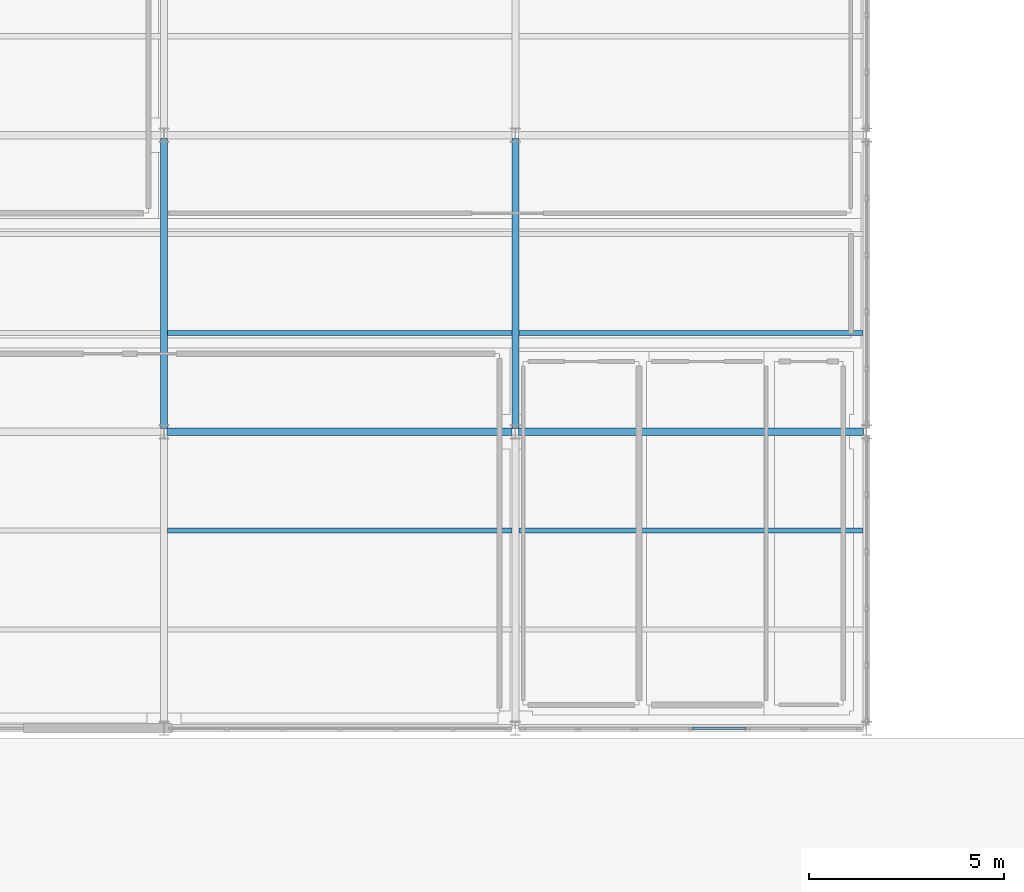
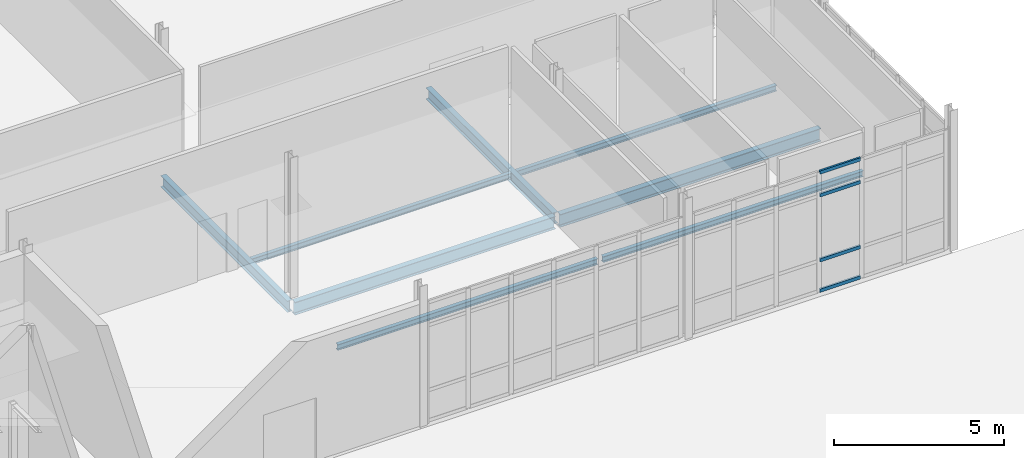
# One storey, part 68 of 161: 8 beams, 4 members, 1 element without a shape of its own.
"""IFC4 building model written with IfcOpenShell, lengths in metres."""

from ifc_helpers import new_model, si_unit, direction, frame, origin, origin_2d, place, context, subcontext, project, spatial, hollow_rectangle, i_section, extrude, material, material_profile, profile_set, type_object, element, aggregate, save


model = new_model("IFC4")

# Units and contexts
model_context = context("Model", 3, precision=1e-05, world=origin(), true_north=direction((0.0, 1.0)))
body_context = subcontext(model_context, "Body", "Model", "MODEL_VIEW")
ifc_project = project(units=[si_unit("LENGTHUNIT", "METRE"), si_unit("AREAUNIT", "SQUARE_METRE"), si_unit("VOLUMEUNIT", "CUBIC_METRE"), si_unit("PLANEANGLEUNIT", "RADIAN"), si_unit("MASSUNIT", "GRAM", prefix="KILO")], contexts=[model_context])

# Site, building, storey
site_placement = place(None, origin())
site = spatial("IfcSite", under=ifc_project, at=site_placement, CompositionType="ELEMENT")
building_placement = place(site_placement, origin())
building = spatial("IfcBuilding", under=site, at=building_placement, Name="Caisbarro Railhouse Central Library", CompositionType="ELEMENT")
storey_placement = place(building_placement, origin())
storey = spatial("IfcBuildingStorey", under=building, at=storey_placement, Name="L00", CompositionType="ELEMENT", Elevation=0.0)

# Beams
ifc_material_1 = material(Name="Steel ASTM A572 Grade 50", Category="steel")
ifc_material_profile_1 = material_profile(ifc_material_1, i_section(OverallWidth=0.18994140625, OverallDepth=0.45703125, WebThickness=0.009033203125, FlangeThickness=0.014404296875, FilletRadius=0.01806640625, at=origin_2d()), Name="W460X74.0")
ifc_profile_set_1 = profile_set([ifc_material_profile_1], Name="Steel ASTM A572 Grade 50")
beam_type_1 = type_object("IfcBeamType", Name="BM-G08", PredefinedType="BEAM", material=ifc_profile_set_1)
for number, where, z_axis, x_axis, name in (
    (1, (18.080078125, 91.199951171875, -0.478515625), (1.0, 0.0, 0.0), (0.0, 1.0, 0.0), "G08 beam L00 #387"),
    (2, (27.080078125, 91.199951171875, -0.478515625), (1.0, 0.0, 0.0), (0.0, 1.0, 0.0), "G08 beam L00 #388"),
):
    element("IfcBeam", number, at=place(storey_placement, frame(where, z_axis=z_axis, x_axis=x_axis)), inside=storey, type_object=beam_type_1, Name=name, PredefinedType="BEAM", context=body_context, shape_type="SweptSolid", body=[
        extrude(i_section(OverallWidth=0.18994140625, OverallDepth=0.45703125, WebThickness=0.009033203125, FlangeThickness=0.014404296875, FilletRadius=0.01806640625, at=origin_2d()), origin(), (0.0, 0.0, 1.0), 8.83984375),
    ])
ifc_material_profile_2 = material_profile(ifc_material_1, i_section(OverallWidth=0.177978515625, OverallDepth=0.406982421875, WebThickness=0.0078125, FlangeThickness=0.0126953125, FilletRadius=0.01611328125, at=origin_2d()), Name="W410X60.0")
ifc_profile_set_2 = profile_set([ifc_material_profile_2], Name="Steel ASTM A572 Grade 50")
beam_type_2 = type_object("IfcBeamType", Name="BM-G10", PredefinedType="BEAM", material=ifc_profile_set_2)
for number, where, z_axis, x_axis, name in (
    (3, (18.0, 91.280029296875, -0.45361328125), (0.0, 1.0, 0.0), (-1.0, 0.0, 0.0), "G10 beam L00 #410"),
    (4, (27.0, 91.280029296875, -0.45361328125), (0.0, 1.0, 0.0), (-1.0, 0.0, 0.0), "G10 beam L00 #414"),
):
    element("IfcBeam", number, at=place(storey_placement, frame(where, z_axis=z_axis, x_axis=x_axis)), inside=storey, type_object=beam_type_2, Name=name, PredefinedType="BEAM", context=body_context, shape_type="SweptSolid", body=[
        extrude(i_section(OverallWidth=0.177978515625, OverallDepth=0.406982421875, WebThickness=0.0078125, FlangeThickness=0.0126953125, FilletRadius=0.01611328125, at=origin_2d()), origin(), (0.0, 0.0, 1.0), 7.43994140625),
    ])
ifc_material_profile_3 = material_profile(ifc_material_1, i_section(OverallWidth=0.133056640625, OverallDepth=0.20703125, WebThickness=0.005859375, FlangeThickness=0.00830078125, FilletRadius=0.010009765625, at=origin_2d()), Name="W200X26.6")
ifc_profile_set_3 = profile_set([ifc_material_profile_3], Name="Steel ASTM A572 Grade 50")
beam_type_3 = type_object("IfcBeamType", Name="BM-J07", PredefinedType="JOIST", material=ifc_profile_set_3)
for number, where, z_axis, x_axis, name in (
    (5, (18.089111328125, 88.666748046875, -0.353515625), (1.0, 0.0, 0.0), (0.0, 1.0, 0.0), "J07 beam L00 #438"),
    (6, (18.089111328125, 93.7333984375, -0.353515625), (1.0, 0.0, 0.0), (0.0, 1.0, 0.0), "J07 beam L00 #439"),
    (7, (27.089111328125, 88.666748046875, -0.353515625), (1.0, 0.0, 0.0), (0.0, 1.0, 0.0), "J07 beam L00 #446"),
    (8, (27.089111328125, 93.7333984375, -0.353515625), (1.0, 0.0, 0.0), (0.0, 1.0, 0.0), "J07 beam L00 #447"),
):
    element("IfcBeam", number, at=place(storey_placement, frame(where, z_axis=z_axis, x_axis=x_axis)), inside=storey, type_object=beam_type_3, Name=name, PredefinedType="JOIST", context=body_context, shape_type="SweptSolid", body=[
        extrude(i_section(OverallWidth=0.133056640625, OverallDepth=0.20703125, WebThickness=0.005859375, FlangeThickness=0.00830078125, FilletRadius=0.010009765625, at=origin_2d()), origin(), (0.0, 0.0, 1.0), 8.82177734375),
    ])

# Curtain wall, members
ifc_material_2 = material(Name="Anodised architectural aluminium", Category="aluminium")
curtain_wall_type = type_object("IfcCurtainWallType", Name="CW-CW01", PredefinedType="NOTDEFINED", material=ifc_material_2)
curtain_wall_placement = place(storey_placement, origin())
curtain_wall = element("IfcCurtainWall", 9, at=curtain_wall_placement, inside=storey, type_object=curtain_wall_type, Name="CW01 curtain wall L00 #75", PredefinedType="NOTDEFINED")
ifc_material_profile_4 = material_profile(ifc_material_2, hollow_rectangle(XDim=0.06494140625, YDim=0.1201171875, WallThickness=0.00341796875, at=origin_2d()), Name="ALU-TRN-65X120")
ifc_profile_set_4 = profile_set([ifc_material_profile_4], Name="Anodised architectural aluminium")
member_type = type_object("IfcMemberType", Name="CWT-T02", PredefinedType="USERDEFINED", material=ifc_profile_set_4)
member_1_placement = place(storey_placement, frame((31.532470703125, 83.60009765625, 0.032470703125), z_axis=(1.0, 0.0, 0.0), x_axis=(0.0, 1.0, 0.0)))
member_1 = element("IfcMember", 10, at=member_1_placement, type_object=member_type, Name="CW01 transom 4.1", ObjectType="TRANSOM", PredefinedType="USERDEFINED", context=body_context, shape_type="SweptSolid", body=[
    extrude(hollow_rectangle(XDim=0.06494140625, YDim=0.1201171875, WallThickness=0.00341796875, at=origin_2d()), origin(), (0.0, 0.0, 1.0), 1.381591796875),
])
member_2_placement = place(storey_placement, frame((31.532470703125, 83.60009765625, 1.1201171875), z_axis=(1.0, 0.0, 0.0), x_axis=(0.0, 1.0, 0.0)))
member_2 = element("IfcMember", 11, at=member_2_placement, type_object=member_type, Name="CW01 transom 4.2", ObjectType="TRANSOM", PredefinedType="USERDEFINED", context=body_context, shape_type="SweptSolid", body=[
    extrude(hollow_rectangle(XDim=0.06494140625, YDim=0.1201171875, WallThickness=0.00341796875, at=origin_2d()), origin(), (0.0, 0.0, 1.0), 1.381591796875),
])
member_3_placement = place(storey_placement, frame((31.532470703125, 83.60009765625, 3.449951171875), z_axis=(1.0, 0.0, 0.0), x_axis=(0.0, 1.0, 0.0)))
member_3 = element("IfcMember", 12, at=member_3_placement, type_object=member_type, Name="CW01 transom 4.3", ObjectType="TRANSOM", PredefinedType="USERDEFINED", context=body_context, shape_type="SweptSolid", body=[
    extrude(hollow_rectangle(XDim=0.06494140625, YDim=0.1201171875, WallThickness=0.00341796875, at=origin_2d()), origin(), (0.0, 0.0, 1.0), 1.381591796875),
])
member_4_placement = place(storey_placement, frame((31.532470703125, 83.60009765625, 4.267578125), z_axis=(1.0, 0.0, 0.0), x_axis=(0.0, 1.0, 0.0)))
member_4 = element("IfcMember", 13, at=member_4_placement, type_object=member_type, Name="CW01 transom 4.4", ObjectType="TRANSOM", PredefinedType="USERDEFINED", context=body_context, shape_type="SweptSolid", body=[
    extrude(hollow_rectangle(XDim=0.06494140625, YDim=0.1201171875, WallThickness=0.00341796875, at=origin_2d()), origin(), (0.0, 0.0, 1.0), 1.381591796875),
])
aggregate(curtain_wall, [member_1, member_2, member_3, member_4])

save(model, "model.ifc")
